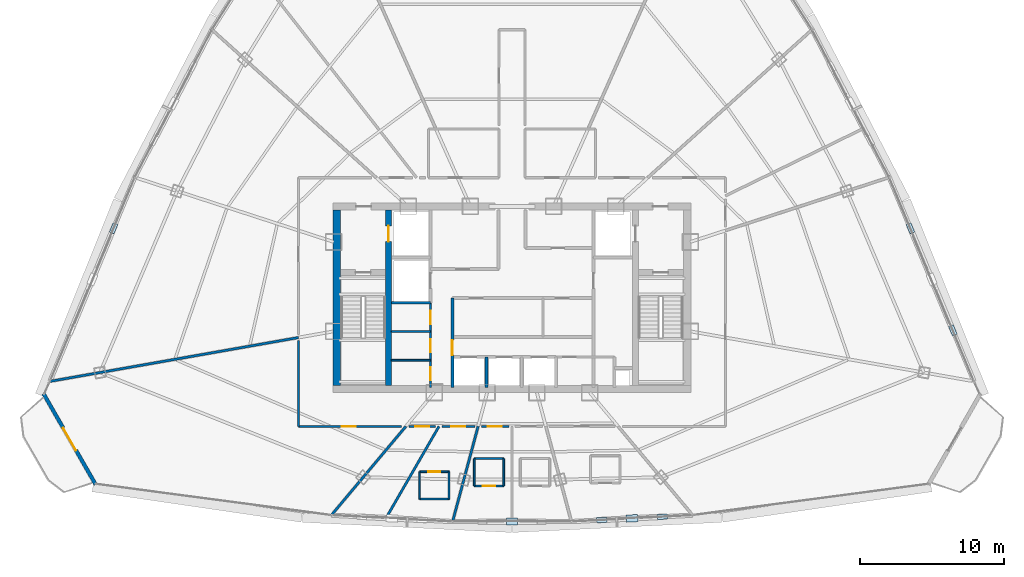
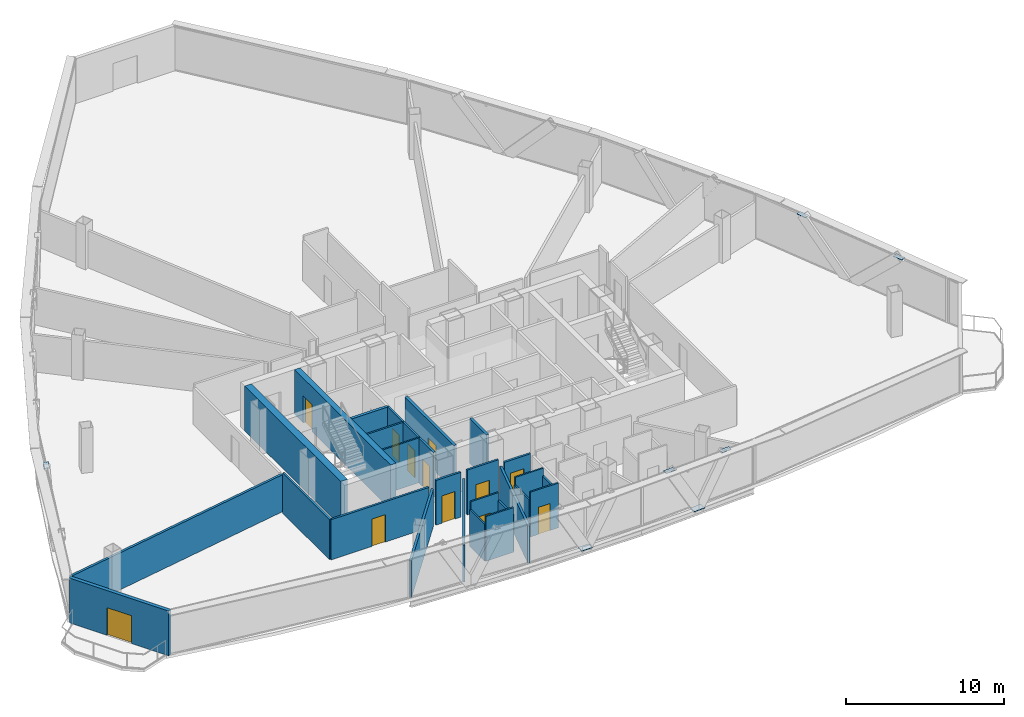
# One storey, part 31 of 37: 26 walls, 12 doors, 7 plates, 12 openings.
"""IFC4 building model written with IfcOpenShell, lengths in metres."""

from ifc_helpers import new_model, si_unit, direction, frame, frame_2d, origin, origin_with_axes, origin_2d, place, context, subcontext, project, spatial, rectangle, extrude, source, transform, mapped, material, layer, layer_set, type_object, element, fill, save


model = new_model("IFC4")

# Units and contexts
model_context = context("Model", 3, precision=1e-05, world=origin(), true_north=direction((0.0, 1.0)))
body_context = subcontext(model_context, "Body", "Model", "MODEL_VIEW")
ifc_project = project(units=[si_unit("LENGTHUNIT", "METRE"), si_unit("AREAUNIT", "SQUARE_METRE"), si_unit("VOLUMEUNIT", "CUBIC_METRE"), si_unit("PLANEANGLEUNIT", "RADIAN"), si_unit("MASSUNIT", "GRAM", prefix="KILO"), si_unit("THERMODYNAMICTEMPERATUREUNIT", "KELVIN"), si_unit("POWERUNIT", "WATT")], contexts=[model_context])

# Site, building, storey
site_placement = place(None, origin())
site = spatial("IfcSite", under=ifc_project, at=site_placement, CompositionType="ELEMENT")
building_placement = place(site_placement, origin())
building = spatial("IfcBuilding", under=site, at=building_placement, Name="Yunzhuo Pagoda Commons", CompositionType="ELEMENT")
storey_placement = place(building_placement, frame((0.0, 0.0, 281.2900390625)))
storey = spatial("IfcBuildingStorey", under=building, at=storey_placement, Name="L70", CompositionType="ELEMENT", Elevation=281.2900390625)

# Plates
ifc_material_1 = material(Name="Structural steel Q355B", Category="steel")
ifc_layer_1 = layer(ifc_material_1, 0.028076171875)
ifc_layer_set_1 = layer_set([ifc_layer_1], Name="Structural steel Q355B")
plate_type = type_object("IfcPlateType", Name="SP-ND1 Lattice Node Cap Plate 800x500x28", PredefinedType="USERDEFINED", material=ifc_layer_set_1)
shared_shape_1 = source(origin(), body_context, "Body", "SweptSolid", [
    extrude(rectangle(XDim=0.800048828125, YDim=0.5, at=origin_2d()), origin(), (0.0, 0.0, 1.0), 0.028076171875),
])
for number, where, z_axis, x_axis, name in (
    (1, (48.0, 18.275146484375, -0.27392578125), (0.0, 0.0, 1.0), (1.0, 0.0, 0.0), "L70 diamond node plate F1.2A"),
    (2, (56.350830078125, 18.498291015625, -0.27392578125), (0.0, 0.0, 1.0), (0.998603839336, 0.052823972429, 0.0), "L70 diamond node plate F1.3A"),
):
    element("IfcPlate", number, at=place(storey_placement, frame(where, z_axis=z_axis, x_axis=x_axis)), inside=storey, type_object=plate_type, Name=name, ObjectType="STIFFENER_PLATE", PredefinedType="USERDEFINED", context=body_context, shape_type="MappedRepresentation", body=[
        mapped(shared_shape_1, transform((0.0, 0.0, 0.0), scale=1.0)),
    ])
shared_shape_2 = source(origin(), body_context, "Body", "SweptSolid", [
    extrude(rectangle(XDim=0.699951171875, YDim=0.35009765625, at=origin_2d()), origin(), (0.0, 0.0, 1.0), 0.035888671875),
])
for number, where, z_axis, x_axis, name in (
    (3, (54.241943359375, 18.38671875, 3.43212890625), (0.0, 0.0, 1.0), (0.998603839336, 0.052823972429, 0.0), "L70 setback lattice tie plate F1.3L"),
    (4, (58.459716796875, 18.609619140625, 3.43212890625), (0.0, 0.0, 1.0), (0.998603839336, 0.052823972429, 0.0), "L70 setback lattice tie plate F1.3R"),
    (5, (78.6748046875, 31.58056640625, 3.43212890625), (0.0, 0.0, 1.0), (-0.383860227441, 0.923391209504, 0.0), "L70 setback lattice tie plate F2.1L"),
    (6, (75.723876953125, 38.67919921875, 3.43212890625), (0.0, 0.0, 1.0), (-0.383860227441, 0.923391209504, 0.0), "L70 setback lattice tie plate F2.1R"),
    (7, (20.276123046875, 38.67919921875, 3.43212890625), (0.0, 0.0, 1.0), (-0.383860227441, -0.923391209504, 0.0), "L70 setback lattice tie plate F3.3L"),
):
    element("IfcPlate", number, at=place(storey_placement, frame(where, z_axis=z_axis, x_axis=x_axis)), inside=storey, type_object=plate_type, Name=name, ObjectType="STIFFENER_PLATE", PredefinedType="USERDEFINED", context=body_context, shape_type="MappedRepresentation", body=[
        mapped(shared_shape_2, transform((0.0, 0.0, 0.0), scale=1.0)),
    ])

# Wall, opening, door
ifc_material_2 = material(Name="Precast concrete C40", Category="concrete")
ifc_layer_2 = layer(ifc_material_2, 0.260009765625)
ifc_layer_set_2 = layer_set([ifc_layer_2], Name="Precast concrete C40")
wall_type_1 = type_object("IfcWallType", Name="W-BAL1 Corner Balcony Threshold Wall 260", PredefinedType="STANDARD", material=ifc_layer_set_2)
wall_1_placement = place(storey_placement, frame((15.402099609375, 27.174072265625, 0.0), z_axis=(0.0, 0.0, 1.0), x_axis=(0.497929527106, -0.867217496385, 0.0)))
wall_1 = element("IfcWall", 8, at=wall_1_placement, inside=storey, type_object=wall_type_1, Name="L70 corner balcony wall V1", PredefinedType="STANDARD", context=body_context, shape_type="SweptSolid", body=[
    extrude(rectangle(XDim=7.29345703125, YDim=0.260009765625, at=frame_2d((3.646728515625, 0.0))), origin(), (0.0, 0.0, 1.0), 3.469970703125),
])
opening_1_placement = place(wall_1_placement, frame((2.74658203125, 0.0, 0.0)))
opening_1 = element("IfcOpeningElement", 9, at=opening_1_placement, cuts=wall_1, Name="Opening D-BAL1", PredefinedType="OPENING", context=body_context, shape_type="SweptSolid", body=[
    extrude(rectangle(XDim=1.800048828125, YDim=2.14990234375, at=frame_2d((0.89990234375, 1.074951171875))), frame((0.0, 0.14013671875, 0.0), z_axis=(0.0, -1.0, 0.0), x_axis=(1.0, 0.0, 0.0)), (0.0, 0.0, 1.0), 0.280029296875),
])
ifc_material_3 = material(Name="Anodized aluminium frame and tempered glazed leaf", Category="aluminium")
door_type_1 = type_object("IfcDoorType", Name="D-BAL1 Corner Balcony Sliding Glazed Door 1800x2150", OperationType="DOUBLE_DOOR_SLIDING", PredefinedType="DOOR", material=ifc_material_3)
shared_shape_3 = source(origin(), body_context, "Body", "SweptSolid", [
    extrude(rectangle(XDim=1.800048828125, YDim=2.14990234375, at=frame_2d((0.89990234375, 1.074951171875))), frame((0.0, 0.02490234375, 0.0), z_axis=(0.0, -1.0, 0.0), x_axis=(1.0, 0.0, 0.0)), (0.0, 0.0, 1.0), 0.050048828125),
])
door_1_placement = place(opening_1_placement, origin_with_axes())
door_1 = element("IfcDoor", 10, at=door_1_placement, inside=storey, type_object=door_type_1, Name="L70 corner balcony sliding door V1", OperationType="DOUBLE_DOOR_SLIDING", OverallHeight=2.14990234375, OverallWidth=1.800048828125, PredefinedType="DOOR", context=body_context, shape_type="MappedRepresentation", body=[
    mapped(shared_shape_3, transform((0.0, 0.0, 0.0), scale=1.0)),
])
fill(opening_1, door_1)

# Wall
ifc_material_4 = material(Name="Concrete C50", Category="concrete")
ifc_layer_3 = layer(ifc_material_4, 0.5)
ifc_layer_set_3 = layer_set([ifc_layer_3], Name="Concrete C50")
wall_type_2 = type_object("IfcWallType", Name="W-C03 Upper Core Shear Wall 500", PredefinedType="SHEAR", material=ifc_layer_set_3)
wall_2_placement = place(storey_placement, frame((35.800048828125, 27.75, 0.0), z_axis=(0.0, 0.0, 1.0), x_axis=(0.0, 1.0, 0.0)))
element("IfcWall", 11, at=wall_2_placement, inside=storey, type_object=wall_type_2, Name="L70 core shear wall W", PredefinedType="SHEAR", context=body_context, shape_type="SweptSolid", body=[
    extrude(rectangle(XDim=12.199951171875, YDim=0.5, at=frame_2d((6.10009765625, 0.0))), origin(), (0.0, 0.0, 1.0), 3.469970703125),
])

# Wall, openings, doors
ifc_material_5 = material(Name="Gypsum plasterboard on acoustic stud")
ifc_layer_4 = layer(ifc_material_5, 0.14990234375)
ifc_layer_set_4 = layer_set([ifc_layer_4], Name="Gypsum plasterboard on acoustic stud")
wall_type_3 = type_object("IfcWallType", Name="W-COR3 High-Zone Rated Corridor Wall 150", PredefinedType="PARTITIONING", material=ifc_layer_set_4)
wall_3_placement = place(storey_placement, frame((42.320068359375, 27.60009765625, 0.0), z_axis=(0.0, 0.0, 1.0), x_axis=(0.0, 1.0, 0.0)))
wall_3 = element("IfcWall", 12, at=wall_3_placement, inside=storey, type_object=wall_type_3, Name="L70 interior wall IW-L70-CSWE", PredefinedType="PARTITIONING", context=body_context, shape_type="SweptSolid", body=[
    extrude(rectangle(XDim=5.89990234375, YDim=0.14990234375, at=frame_2d((2.949951171875, 0.0))), origin(), (0.0, 0.0, 1.0), 3.469970703125),
])
opening_2_placement = place(wall_3_placement, frame((0.5, 0.0, 0.0)))
opening_2 = element("IfcOpeningElement", 13, at=opening_2_placement, cuts=wall_3, Name="Opening D-03", PredefinedType="OPENING", context=body_context, shape_type="SweptSolid", body=[
    extrude(rectangle(XDim=0.89990234375, YDim=2.10009765625, at=frame_2d((0.449951171875, 1.050048828125))), frame((0.0, 0.0849609375, 0.0), z_axis=(0.0, -1.0, 0.0), x_axis=(1.0, 0.0, 0.0)), (0.0, 0.0, 1.0), 0.169921875),
])
opening_3_placement = place(wall_3_placement, frame((2.449951171875, 0.0, 0.0)))
opening_3 = element("IfcOpeningElement", 14, at=opening_3_placement, cuts=wall_3, Name="Opening D-03", PredefinedType="OPENING", context=body_context, shape_type="SweptSolid", body=[
    extrude(rectangle(XDim=0.89990234375, YDim=2.10009765625, at=frame_2d((0.449951171875, 1.050048828125))), frame((0.0, 0.0849609375, 0.0), z_axis=(0.0, -1.0, 0.0), x_axis=(1.0, 0.0, 0.0)), (0.0, 0.0, 1.0), 0.169921875),
])
opening_4_placement = place(wall_3_placement, frame((4.419921875, 0.0, 0.0)))
opening_4 = element("IfcOpeningElement", 15, at=opening_4_placement, cuts=wall_3, Name="Opening D-11", PredefinedType="OPENING", context=body_context, shape_type="SweptSolid", body=[
    extrude(rectangle(XDim=0.93994140625, YDim=2.10009765625, at=frame_2d((0.469970703125, 1.050048828125))), frame((0.0, 0.0849609375, 0.0), z_axis=(0.0, -1.0, 0.0), x_axis=(1.0, 0.0, 0.0)), (0.0, 0.0, 1.0), 0.169921875),
])
ifc_material_6 = material(Name="Galvanized fire-resisting metal leaf")
door_type_2 = type_object("IfcDoorType", Name="D-03 Core Service Fire Door 900x2100", OperationType="NOTDEFINED", PredefinedType="DOOR", material=ifc_material_6)
shared_shape_4 = source(origin(), body_context, "Body", "SweptSolid", [
    extrude(rectangle(XDim=0.89990234375, YDim=2.10009765625, at=frame_2d((0.449951171875, 1.050048828125))), frame((0.0, 0.02490234375, 0.0), z_axis=(0.0, -1.0, 0.0), x_axis=(1.0, 0.0, 0.0)), (0.0, 0.0, 1.0), 0.050048828125),
])
door_2_placement = place(opening_2_placement, origin_with_axes())
door_2 = element("IfcDoor", 16, at=door_2_placement, inside=storey, type_object=door_type_2, Name="L70 switch door", OperationType="SINGLE_SWING_RIGHT", OverallHeight=2.10009765625, OverallWidth=0.89990234375, PredefinedType="DOOR", context=body_context, shape_type="MappedRepresentation", body=[
    mapped(shared_shape_4, transform((0.0, 0.0, 0.0), scale=1.0)),
])
fill(opening_2, door_2)
door_3_placement = place(opening_3_placement, origin_with_axes())
door_3 = element("IfcDoor", 17, at=door_3_placement, inside=storey, type_object=door_type_2, Name="L70 cleaner door", OperationType="SINGLE_SWING_RIGHT", OverallHeight=2.10009765625, OverallWidth=0.89990234375, PredefinedType="DOOR", context=body_context, shape_type="MappedRepresentation", body=[
    mapped(shared_shape_4, transform((0.0, 0.0, 0.0), scale=1.0)),
])
fill(opening_3, door_3)
door_type_3 = type_object("IfcDoorType", Name="D-11 Accessible Washroom Fire Door 940x2100", OperationType="NOTDEFINED", PredefinedType="DOOR", material=ifc_material_6)
shared_shape_5 = source(origin(), body_context, "Body", "SweptSolid", [
    extrude(rectangle(XDim=0.93994140625, YDim=2.10009765625, at=frame_2d((0.469970703125, 1.050048828125))), frame((0.0, 0.02490234375, 0.0), z_axis=(0.0, -1.0, 0.0), x_axis=(1.0, 0.0, 0.0)), (0.0, 0.0, 1.0), 0.050048828125),
])
door_4_placement = place(opening_4_placement, origin_with_axes())
door_4 = element("IfcDoor", 18, at=door_4_placement, inside=storey, type_object=door_type_3, Name="L70 core WC door", OperationType="SINGLE_SWING_LEFT", OverallHeight=2.10009765625, OverallWidth=0.93994140625, PredefinedType="DOOR", context=body_context, shape_type="MappedRepresentation", body=[
    mapped(shared_shape_5, transform((0.0, 0.0, 0.0), scale=1.0)),
])
fill(opening_4, door_4)

# Wall
wall_4_placement = place(storey_placement, frame((33.14990234375, 24.89990234375, 0.0), z_axis=(0.0, 0.0, 1.0), x_axis=(0.0, 1.0, 0.0)))
element("IfcWall", 19, at=wall_4_placement, inside=storey, type_object=wall_type_3, Name="L70 interior wall IW-L70-CWL01", PredefinedType="PARTITIONING", context=body_context, shape_type="SweptSolid", body=[
    extrude(rectangle(XDim=5.958251953125, YDim=0.14990234375, at=frame_2d((2.97900390625, 0.0))), origin(), (0.0, 0.0, 1.0), 3.119873046875),
])

# Wall, opening, door
wall_5_placement = place(storey_placement, frame((47.780029296875, 24.89990234375, 0.0), z_axis=(0.0, 0.0, 1.0), x_axis=(-1.0, 0.0, 0.0)))
wall_5 = element("IfcWall", 20, at=wall_5_placement, inside=storey, type_object=wall_type_3, Name="L70 interior wall IW-L70-CWL17", PredefinedType="PARTITIONING", context=body_context, shape_type="SweptSolid", body=[
    extrude(rectangle(XDim=1.918212890625, YDim=0.14990234375, at=frame_2d((0.958984375, 0.0))), origin(), (0.0, 0.0, 1.0), 3.119873046875),
])
opening_5_placement = place(wall_5_placement, frame((0.48388671875, 0.0, 0.0)))
opening_5 = element("IfcOpeningElement", 21, at=opening_5_placement, cuts=wall_5, Name="Opening D-08", PredefinedType="OPENING", context=body_context, shape_type="SweptSolid", body=[
    extrude(rectangle(XDim=0.97998046875, YDim=2.1201171875, at=frame_2d((0.489990234375, 1.06005859375))), frame((0.0, 0.0849609375, 0.0), z_axis=(0.0, -1.0, 0.0), x_axis=(1.0, 0.0, 0.0)), (0.0, 0.0, 1.0), 0.169921875),
])
door_type_4 = type_object("IfcDoorType", Name="D-08 High-Zone Suite Entrance Fire Door 980x2120", OperationType="NOTDEFINED", PredefinedType="DOOR", material=ifc_material_6)
shared_shape_6 = source(origin(), body_context, "Body", "SweptSolid", [
    extrude(rectangle(XDim=0.97998046875, YDim=2.1201171875, at=frame_2d((0.489990234375, 1.06005859375))), frame((0.0, 0.02490234375, 0.0), z_axis=(0.0, -1.0, 0.0), x_axis=(1.0, 0.0, 0.0)), (0.0, 0.0, 1.0), 0.050048828125),
])
door_5_placement = place(opening_5_placement, origin_with_axes())
door_5 = element("IfcDoor", 22, at=door_5_placement, inside=storey, type_object=door_type_4, Name="L70 unit 11 entrance door", OperationType="SINGLE_SWING_LEFT", OverallHeight=2.1201171875, OverallWidth=0.97998046875, PredefinedType="DOOR", context=body_context, shape_type="MappedRepresentation", body=[
    mapped(shared_shape_6, transform((0.0, 0.0, 0.0), scale=1.0)),
])
fill(opening_5, door_5)

wall_6_placement = place(storey_placement, frame((45.414306640625, 24.89990234375, 0.0), z_axis=(0.0, 0.0, 1.0), x_axis=(-1.0, 0.0, 0.0)))
wall_6 = element("IfcWall", 23, at=wall_6_placement, inside=storey, type_object=wall_type_3, Name="L70 interior wall IW-L70-CWL18", PredefinedType="PARTITIONING", context=body_context, shape_type="SweptSolid", body=[
    extrude(rectangle(XDim=2.275146484375, YDim=0.14990234375, at=frame_2d((1.1376953125, 0.0))), origin(), (0.0, 0.0, 1.0), 3.469970703125),
])
opening_6_placement = place(wall_6_placement, frame((0.658447265625, 0.0, 0.0)))
opening_6 = element("IfcOpeningElement", 24, at=opening_6_placement, cuts=wall_6, Name="Opening D-08", PredefinedType="OPENING", context=body_context, shape_type="SweptSolid", body=[
    extrude(rectangle(XDim=0.97998046875, YDim=2.1201171875, at=frame_2d((0.489990234375, 1.06005859375))), frame((0.0, 0.0849609375, 0.0), z_axis=(0.0, -1.0, 0.0), x_axis=(1.0, 0.0, 0.0)), (0.0, 0.0, 1.0), 0.169921875),
])
door_6_placement = place(opening_6_placement, origin_with_axes())
door_6 = element("IfcDoor", 25, at=door_6_placement, inside=storey, type_object=door_type_4, Name="L70 unit 10 entrance door", OperationType="SINGLE_SWING_RIGHT", OverallHeight=2.1201171875, OverallWidth=0.97998046875, PredefinedType="DOOR", context=body_context, shape_type="MappedRepresentation", body=[
    mapped(shared_shape_6, transform((0.0, 0.0, 0.0), scale=1.0)),
])
fill(opening_6, door_6)

wall_7_placement = place(storey_placement, frame((42.665283203125, 24.89990234375, 0.0), z_axis=(0.0, 0.0, 1.0), x_axis=(-1.0, 0.0, 0.0)))
wall_7 = element("IfcWall", 26, at=wall_7_placement, inside=storey, type_object=wall_type_3, Name="L70 interior wall IW-L70-CWL19", PredefinedType="PARTITIONING", context=body_context, shape_type="SweptSolid", body=[
    extrude(rectangle(XDim=1.82958984375, YDim=0.14990234375, at=frame_2d((0.914794921875, 0.0))), origin(), (0.0, 0.0, 1.0), 3.469970703125),
])
opening_7_placement = place(wall_7_placement, frame((0.422607421875, 0.0, 0.0)))
opening_7 = element("IfcOpeningElement", 27, at=opening_7_placement, cuts=wall_7, Name="Opening D-08", PredefinedType="OPENING", context=body_context, shape_type="SweptSolid", body=[
    extrude(rectangle(XDim=0.97998046875, YDim=2.1201171875, at=frame_2d((0.489990234375, 1.06005859375))), frame((0.0, 0.0849609375, 0.0), z_axis=(0.0, -1.0, 0.0), x_axis=(1.0, 0.0, 0.0)), (0.0, 0.0, 1.0), 0.169921875),
])
door_7_placement = place(opening_7_placement, origin_with_axes())
door_7 = element("IfcDoor", 28, at=door_7_placement, inside=storey, type_object=door_type_4, Name="L70 unit 09 entrance door", OperationType="SINGLE_SWING_LEFT", OverallHeight=2.1201171875, OverallWidth=0.97998046875, PredefinedType="DOOR", context=body_context, shape_type="MappedRepresentation", body=[
    mapped(shared_shape_6, transform((0.0, 0.0, 0.0), scale=1.0)),
])
fill(opening_7, door_7)

wall_8_placement = place(storey_placement, frame((40.32861328125, 24.89990234375, 0.0), z_axis=(0.0, 0.0, 1.0), x_axis=(-1.0, 0.0, 0.0)))
wall_8 = element("IfcWall", 29, at=wall_8_placement, inside=storey, type_object=wall_type_3, Name="L70 interior wall IW-L70-CWL20", PredefinedType="PARTITIONING", context=body_context, shape_type="SweptSolid", body=[
    extrude(rectangle(XDim=7.1787109375, YDim=0.14990234375, at=frame_2d((3.58935546875, 0.0))), origin(), (0.0, 0.0, 1.0), 3.119873046875),
])
opening_8_placement = place(wall_8_placement, frame((3.20068359375, 0.0, 0.0)))
opening_8 = element("IfcOpeningElement", 30, at=opening_8_placement, cuts=wall_8, Name="Opening D-08", PredefinedType="OPENING", context=body_context, shape_type="SweptSolid", body=[
    extrude(rectangle(XDim=0.97998046875, YDim=2.1201171875, at=frame_2d((0.489990234375, 1.06005859375))), frame((0.0, 0.0849609375, 0.0), z_axis=(0.0, -1.0, 0.0), x_axis=(1.0, 0.0, 0.0)), (0.0, 0.0, 1.0), 0.169921875),
])
door_8_placement = place(opening_8_placement, origin_with_axes())
door_8 = element("IfcDoor", 31, at=door_8_placement, inside=storey, type_object=door_type_4, Name="L70 unit 08 entrance door", OperationType="SINGLE_SWING_RIGHT", OverallHeight=2.1201171875, OverallWidth=0.97998046875, PredefinedType="DOOR", context=body_context, shape_type="MappedRepresentation", body=[
    mapped(shared_shape_6, transform((0.0, 0.0, 0.0), scale=1.0)),
])
fill(opening_8, door_8)

# Walls
ifc_layer_5 = layer(ifc_material_5, 0.1201171875)
ifc_layer_set_5 = layer_set([ifc_layer_5], Name="Gypsum plasterboard on acoustic stud")
wall_type_4 = type_object("IfcWallType", Name="W-PRT1 Suite & Bathroom Partition 120", PredefinedType="PARTITIONING", material=ifc_layer_set_5)
for number, where, z_axis, x_axis, name in (
    (32, (39.60009765625, 29.5, 0.0), (0.0, 0.0, 1.0), (1.0, 0.0, 0.0), "L70 interior wall IW-L70-CC1"),
    (33, (39.60009765625, 31.5, 0.0), (0.0, 0.0, 1.0), (1.0, 0.0, 0.0), "L70 interior wall IW-L70-CC2"),
):
    element("IfcWall", number, at=place(storey_placement, frame(where, z_axis=z_axis, x_axis=x_axis)), inside=storey, type_object=wall_type_4, Name=name, PredefinedType="PARTITIONING", context=body_context, shape_type="SweptSolid", body=[
        extrude(rectangle(XDim=2.719970703125, YDim=0.1201171875, at=frame_2d((1.35986328125, 0.0))), origin(), (0.0, 0.0, 1.0), 3.469970703125),
    ])
wall_9_placement = place(storey_placement, frame((41.572998046875, 19.839111328125, 0.0), z_axis=(0.0, 0.0, 1.0), x_axis=(1.0, 0.0, 0.0)))
element("IfcWall", 34, at=wall_9_placement, inside=storey, type_object=wall_type_4, Name="L70 interior wall IW-L70-B10S", PredefinedType="PARTITIONING", context=body_context, shape_type="SweptSolid", body=[
    extrude(rectangle(XDim=2.050048828125, YDim=0.1201171875, at=frame_2d((1.02490234375, 0.0))), origin(), (0.0, 0.0, 1.0), 3.469970703125),
])
wall_10_placement = place(storey_placement, frame((43.623046875, 19.839111328125, 0.0), z_axis=(0.0, 0.0, 1.0), x_axis=(0.0, 1.0, 0.0)))
element("IfcWall", 35, at=wall_10_placement, inside=storey, type_object=wall_type_4, Name="L70 interior wall IW-L70-B10E", PredefinedType="PARTITIONING", context=body_context, shape_type="SweptSolid", body=[
    extrude(rectangle(XDim=1.89990234375, YDim=0.1201171875, at=frame_2d((0.949951171875, 0.0))), origin(), (0.0, 0.0, 1.0), 2.869873046875),
])

# Wall, opening, door
wall_11_placement = place(storey_placement, frame((43.623046875, 21.739013671875, 0.0), z_axis=(0.0, 0.0, 1.0), x_axis=(-1.0, 0.0, 0.0)))
wall_11 = element("IfcWall", 36, at=wall_11_placement, inside=storey, type_object=wall_type_4, Name="L70 interior wall IW-L70-B10N", PredefinedType="PARTITIONING", context=body_context, shape_type="SweptSolid", body=[
    extrude(rectangle(XDim=2.050048828125, YDim=0.1201171875, at=frame_2d((1.02490234375, 0.0))), origin(), (0.0, 0.0, 1.0), 3.469970703125),
])
opening_9_placement = place(wall_11_placement, frame((0.60009765625, 0.0, 0.0)))
opening_9 = element("IfcOpeningElement", 37, at=opening_9_placement, cuts=wall_11, Name="Opening D-05", PredefinedType="OPENING", context=body_context, shape_type="SweptSolid", body=[
    extrude(rectangle(XDim=0.85009765625, YDim=2.10009765625, at=frame_2d((0.425048828125, 1.050048828125))), frame((0.0, 0.070068359375, 0.0), z_axis=(0.0, -1.0, 0.0), x_axis=(1.0, 0.0, 0.0)), (0.0, 0.0, 1.0), 0.14013671875),
])
ifc_material_7 = material(Name="Powder-coated aluminium and timber acoustic leaf", Category="wood")
door_type_5 = type_object("IfcDoorType", Name="D-05 En-Suite Bathroom Door 850x2100", OperationType="NOTDEFINED", PredefinedType="DOOR", material=ifc_material_7)
shared_shape_7 = source(origin(), body_context, "Body", "SweptSolid", [
    extrude(rectangle(XDim=0.85009765625, YDim=2.10009765625, at=frame_2d((0.425048828125, 1.050048828125))), frame((0.0, 0.02490234375, 0.0), z_axis=(0.0, -1.0, 0.0), x_axis=(1.0, 0.0, 0.0)), (0.0, 0.0, 1.0), 0.050048828125),
])
door_9_placement = place(opening_9_placement, frame((0.85009765625, 0.0, 0.0), z_axis=(0.0, 0.0, 1.0), x_axis=(-1.0, 0.0, 0.0)))
door_9 = element("IfcDoor", 38, at=door_9_placement, inside=storey, type_object=door_type_5, Name="L70 unit 10 bathroom door", OperationType="SINGLE_SWING_RIGHT", OverallHeight=2.10009765625, OverallWidth=0.85009765625, PredefinedType="DOOR", context=body_context, shape_type="MappedRepresentation", body=[
    mapped(shared_shape_7, transform((0.0, 0.0, 0.0), scale=1.0)),
])
fill(opening_9, door_9)

# Wall
wall_12_placement = place(storey_placement, frame((41.572998046875, 21.739013671875, 0.0), z_axis=(0.0, 0.0, 1.0), x_axis=(0.0, -1.0, 0.0)))
element("IfcWall", 39, at=wall_12_placement, inside=storey, type_object=wall_type_4, Name="L70 interior wall IW-L70-B10W", PredefinedType="PARTITIONING", context=body_context, shape_type="SweptSolid", body=[
    extrude(rectangle(XDim=1.89990234375, YDim=0.1201171875, at=frame_2d((0.949951171875, 0.0))), origin(), (0.0, 0.0, 1.0), 2.869873046875),
])

# Wall, opening, door
wall_13_placement = place(storey_placement, frame((45.373046875, 20.758056640625, 0.0), z_axis=(0.0, 0.0, 1.0), x_axis=(1.0, 0.0, 0.0)))
wall_13 = element("IfcWall", 40, at=wall_13_placement, inside=storey, type_object=wall_type_4, Name="L70 interior wall IW-L70-B11S", PredefinedType="PARTITIONING", context=body_context, shape_type="SweptSolid", body=[
    extrude(rectangle(XDim=2.050048828125, YDim=0.1201171875, at=frame_2d((1.02490234375, 0.0))), origin(), (0.0, 0.0, 1.0), 3.469970703125),
])
opening_10_placement = place(wall_13_placement, frame((0.60009765625, 0.0, 0.0)))
opening_10 = element("IfcOpeningElement", 41, at=opening_10_placement, cuts=wall_13, Name="Opening D-05", PredefinedType="OPENING", context=body_context, shape_type="SweptSolid", body=[
    extrude(rectangle(XDim=0.85009765625, YDim=2.10009765625, at=frame_2d((0.425048828125, 1.050048828125))), frame((0.0, 0.070068359375, 0.0), z_axis=(0.0, -1.0, 0.0), x_axis=(1.0, 0.0, 0.0)), (0.0, 0.0, 1.0), 0.14013671875),
])
door_10_placement = place(opening_10_placement, frame((0.85009765625, 0.0, 0.0), z_axis=(0.0, 0.0, 1.0), x_axis=(-1.0, 0.0, 0.0)))
door_10 = element("IfcDoor", 42, at=door_10_placement, inside=storey, type_object=door_type_5, Name="L70 unit 11 bathroom door", OperationType="SINGLE_SWING_LEFT", OverallHeight=2.10009765625, OverallWidth=0.85009765625, PredefinedType="DOOR", context=body_context, shape_type="MappedRepresentation", body=[
    mapped(shared_shape_7, transform((0.0, 0.0, 0.0), scale=1.0)),
])
fill(opening_10, door_10)

# Walls
wall_14_placement = place(storey_placement, frame((47.423095703125, 20.758056640625, 0.0), z_axis=(0.0, 0.0, 1.0), x_axis=(0.0, 1.0, 0.0)))
element("IfcWall", 43, at=wall_14_placement, inside=storey, type_object=wall_type_4, Name="L70 interior wall IW-L70-B11E", PredefinedType="PARTITIONING", context=body_context, shape_type="SweptSolid", body=[
    extrude(rectangle(XDim=1.89990234375, YDim=0.1201171875, at=frame_2d((0.949951171875, 0.0))), origin(), (0.0, 0.0, 1.0), 2.869873046875),
])
wall_15_placement = place(storey_placement, frame((47.423095703125, 22.657958984375, 0.0), z_axis=(0.0, 0.0, 1.0), x_axis=(-1.0, 0.0, 0.0)))
element("IfcWall", 44, at=wall_15_placement, inside=storey, type_object=wall_type_4, Name="L70 interior wall IW-L70-B11N", PredefinedType="PARTITIONING", context=body_context, shape_type="SweptSolid", body=[
    extrude(rectangle(XDim=2.050048828125, YDim=0.1201171875, at=frame_2d((1.02490234375, 0.0))), origin(), (0.0, 0.0, 1.0), 3.469970703125),
])
wall_16_placement = place(storey_placement, frame((45.373046875, 22.657958984375, 0.0), z_axis=(0.0, 0.0, 1.0), x_axis=(0.0, -1.0, 0.0)))
element("IfcWall", 45, at=wall_16_placement, inside=storey, type_object=wall_type_4, Name="L70 interior wall IW-L70-B11W", PredefinedType="PARTITIONING", context=body_context, shape_type="SweptSolid", body=[
    extrude(rectangle(XDim=1.89990234375, YDim=0.1201171875, at=frame_2d((0.949951171875, 0.0))), origin(), (0.0, 0.0, 1.0), 2.869873046875),
])
ifc_layer_6 = layer(ifc_material_5, 0.169921875)
ifc_layer_set_6 = layer_set([ifc_layer_6], Name="Gypsum plasterboard on acoustic stud")
wall_type_5 = type_object("IfcWallType", Name="W-PRT4 High-Zone Demising Wall 170", PredefinedType="PARTITIONING", material=ifc_layer_set_6)
wall_17_placement = place(storey_placement, frame((33.14990234375, 31.08154296875, 0.0), z_axis=(0.0, 0.0, 1.0), x_axis=(-0.984807054696, -0.173652137966, 0.0)))
element("IfcWall", 46, at=wall_17_placement, inside=storey, type_object=wall_type_5, Name="L70 interior wall IW-L70-RAD08", PredefinedType="PARTITIONING", context=body_context, shape_type="SweptSolid", body=[
    extrude(rectangle(XDim=17.56689453125, YDim=0.169921875, at=frame_2d((8.783447265625, 0.0))), origin(), (0.0, 0.0, 1.0), 2.869873046875),
])
wall_18_placement = place(storey_placement, frame((40.615966796875, 24.89990234375, 0.0), z_axis=(0.0, 0.0, 1.0), x_axis=(-0.642788791497, -0.76604345146, 0.0)))
element("IfcWall", 47, at=wall_18_placement, inside=storey, type_object=wall_type_5, Name="L70 interior wall IW-L70-RAD09", PredefinedType="PARTITIONING", context=body_context, shape_type="SweptSolid", body=[
    extrude(rectangle(XDim=8.065673828125, YDim=0.169921875, at=frame_2d((4.03271484375, 0.0))), origin(), (0.0, 0.0, 1.0), 2.869873046875),
])
wall_19_placement = place(storey_placement, frame((42.919189453125, 24.89990234375, 0.0), z_axis=(0.0, 0.0, 1.0), x_axis=(-0.499992114976, -0.866029956157, 0.0)))
element("IfcWall", 48, at=wall_19_placement, inside=storey, type_object=wall_type_5, Name="L70 interior wall IW-L70-RAD10", PredefinedType="PARTITIONING", context=body_context, shape_type="SweptSolid", body=[
    extrude(rectangle(XDim=7.36669921875, YDim=0.169921875, at=frame_2d((3.683349609375, 0.0))), origin(), (0.0, 0.0, 1.0), 2.869873046875),
])
wall_20_placement = place(storey_placement, frame((45.64208984375, 24.89990234375, 0.0), z_axis=(0.0, 0.0, 1.0), x_axis=(-0.258825643191, -0.965924058312, 0.0)))
element("IfcWall", 49, at=wall_20_placement, inside=storey, type_object=wall_type_5, Name="L70 interior wall IW-L70-RAD11", PredefinedType="PARTITIONING", context=body_context, shape_type="SweptSolid", body=[
    extrude(rectangle(XDim=6.8583984375, YDim=0.169921875, at=frame_2d((3.42919921875, 0.0))), origin(), (0.0, 0.0, 1.0), 2.869873046875),
])

# Wall, opening, door
ifc_material_8 = material(Name="Concrete C60", Category="concrete")
ifc_layer_7 = layer(ifc_material_8, 0.39990234375)
ifc_layer_set_7 = layer_set([ifc_layer_7], Name="Concrete C60")
wall_type_6 = type_object("IfcWallType", Name="W-S01 Internal Core Shear Web 400", PredefinedType="SHEAR", material=ifc_layer_set_7)
wall_21_placement = place(storey_placement, frame((39.39990234375, 27.75, 0.0), z_axis=(0.0, 0.0, 1.0), x_axis=(0.0, 1.0, 0.0)))
wall_21 = element("IfcWall", 50, at=wall_21_placement, inside=storey, type_object=wall_type_6, Name="L70 core shear wall WEBW", PredefinedType="SHEAR", context=body_context, shape_type="SweptSolid", body=[
    extrude(rectangle(XDim=12.199951171875, YDim=0.39990234375, at=frame_2d((6.10009765625, 0.0))), origin(), (0.0, 0.0, 1.0), 3.469970703125),
])
opening_11_placement = place(wall_21_placement, frame((10.0, 0.0, 0.0)))
opening_11 = element("IfcOpeningElement", 51, at=opening_11_placement, cuts=wall_21, Name="Opening LD-01", PredefinedType="OPENING", context=body_context, shape_type="SweptSolid", body=[
    extrude(rectangle(XDim=1.10009765625, YDim=2.10009765625, at=frame_2d((0.550048828125, 1.050048828125))), frame((0.0, 0.2099609375, 0.0), z_axis=(0.0, -1.0, 0.0), x_axis=(1.0, 0.0, 0.0)), (0.0, 0.0, 1.0), 0.419921875),
])
door_type_6 = type_object("IfcDoorType", Name="LD-01 Firefighting Lift Landing Door 1100x2100", OperationType="DOUBLE_DOOR_SLIDING", PredefinedType="DOOR", material=ifc_material_6)
shared_shape_8 = source(origin(), body_context, "Body", "SweptSolid", [
    extrude(rectangle(XDim=1.10009765625, YDim=2.10009765625, at=frame_2d((0.550048828125, 1.050048828125))), frame((0.0, 0.02490234375, 0.0), z_axis=(0.0, -1.0, 0.0), x_axis=(1.0, 0.0, 0.0)), (0.0, 0.0, 1.0), 0.050048828125),
])
door_11_placement = place(opening_11_placement, frame((1.10009765625, 0.0, 0.0), z_axis=(0.0, 0.0, 1.0), x_axis=(-1.0, 0.0, 0.0)))
door_11 = element("IfcDoor", 52, at=door_11_placement, inside=storey, type_object=door_type_6, Name="L70 Firefighting lift FL-1 landing door", OperationType="DOUBLE_DOOR_SLIDING", OverallHeight=2.10009765625, OverallWidth=1.10009765625, PredefinedType="DOOR", context=body_context, shape_type="MappedRepresentation", body=[
    mapped(shared_shape_8, transform((0.0, 0.0, 0.0), scale=1.0)),
])
fill(opening_11, door_11)

# Wall
ifc_material_9 = material(Name="Concrete C40", Category="concrete")
ifc_layer_8 = layer(ifc_material_9, 0.199951171875)
ifc_layer_set_8 = layer_set([ifc_layer_8], Name="Concrete C40")
wall_type_7 = type_object("IfcWallType", Name="W-SHF Shaft & Stair Enclosure Wall 200", PredefinedType="SOLIDWALL", material=ifc_layer_set_8)
wall_22_placement = place(storey_placement, frame((39.60009765625, 33.5, 0.0), z_axis=(0.0, 0.0, 1.0), x_axis=(1.0, 0.0, 0.0)))
element("IfcWall", 53, at=wall_22_placement, inside=storey, type_object=wall_type_7, Name="L70 interior wall IW-L70-SL1S", PredefinedType="SOLIDWALL", context=body_context, shape_type="SweptSolid", body=[
    extrude(rectangle(XDim=2.719970703125, YDim=0.199951171875, at=frame_2d((1.35986328125, 0.0))), origin(), (0.0, 0.0, 1.0), 3.469970703125),
])

# Wall, opening, door
wall_23_placement = place(storey_placement, frame((43.85009765625, 27.60009765625, 0.0), z_axis=(0.0, 0.0, 1.0), x_axis=(0.0, 1.0, 0.0)))
wall_23 = element("IfcWall", 54, at=wall_23_placement, inside=storey, type_object=wall_type_7, Name="L70 interior wall IW-L70-PLMW", PredefinedType="SOLIDWALL", context=body_context, shape_type="SweptSolid", body=[
    extrude(rectangle(XDim=6.219970703125, YDim=0.199951171875, at=frame_2d((3.10986328125, 0.0))), origin(), (0.0, 0.0, 1.0), 3.469970703125),
])
opening_12_placement = place(wall_23_placement, frame((2.25, 0.0, 0.0)))
opening_12 = element("IfcOpeningElement", 55, at=opening_12_placement, cuts=wall_23, Name="Opening D-02", PredefinedType="OPENING", context=body_context, shape_type="SweptSolid", body=[
    extrude(rectangle(XDim=1.050048828125, YDim=2.10009765625, at=frame_2d((0.52490234375, 1.050048828125))), frame((0.0, 0.10986328125, 0.0), z_axis=(0.0, -1.0, 0.0), x_axis=(1.0, 0.0, 0.0)), (0.0, 0.0, 1.0), 0.219970703125),
])
door_type_7 = type_object("IfcDoorType", Name="D-02 Firefighting Lobby & Refuge Fire Door 1050x2100", OperationType="NOTDEFINED", PredefinedType="DOOR", material=ifc_material_6)
shared_shape_9 = source(origin(), body_context, "Body", "SweptSolid", [
    extrude(rectangle(XDim=1.050048828125, YDim=2.10009765625, at=frame_2d((0.52490234375, 1.050048828125))), frame((0.0, 0.02490234375, 0.0), z_axis=(0.0, -1.0, 0.0), x_axis=(1.0, 0.0, 0.0)), (0.0, 0.0, 1.0), 0.050048828125),
])
door_12_placement = place(opening_12_placement, frame((1.050048828125, 0.0, 0.0), z_axis=(0.0, 0.0, 1.0), x_axis=(-1.0, 0.0, 0.0)))
door_12 = element("IfcDoor", 56, at=door_12_placement, inside=storey, type_object=door_type_7, Name="L70 High-bank hall west door", OperationType="SINGLE_SWING_LEFT", OverallHeight=2.10009765625, OverallWidth=1.050048828125, PredefinedType="DOOR", context=body_context, shape_type="MappedRepresentation", body=[
    mapped(shared_shape_9, transform((0.0, 0.0, 0.0), scale=1.0)),
])
fill(opening_12, door_12)

# Wall
wall_24_placement = place(storey_placement, frame((46.22509765625, 27.60009765625, 0.0), z_axis=(0.0, 0.0, 1.0), x_axis=(0.0, 1.0, 0.0)))
element("IfcWall", 57, at=wall_24_placement, inside=storey, type_object=wall_type_7, Name="L70 interior wall IW-L70-PLHD1", PredefinedType="SOLIDWALL", context=body_context, shape_type="SweptSolid", body=[
    extrude(rectangle(XDim=2.119873046875, YDim=0.199951171875, at=frame_2d((1.06005859375, 0.0))), origin(), (0.0, 0.0, 1.0), 3.469970703125),
])

save(model, "model.ifc")
